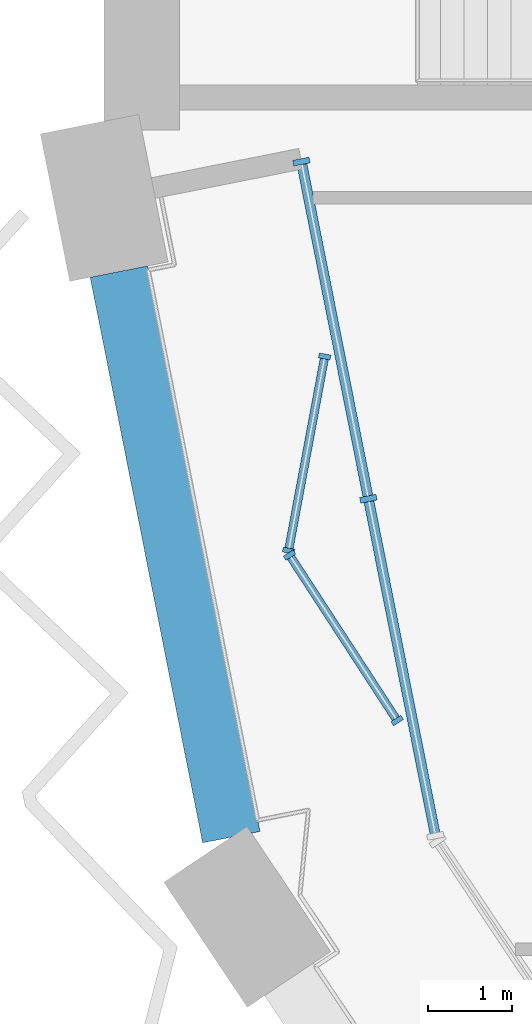
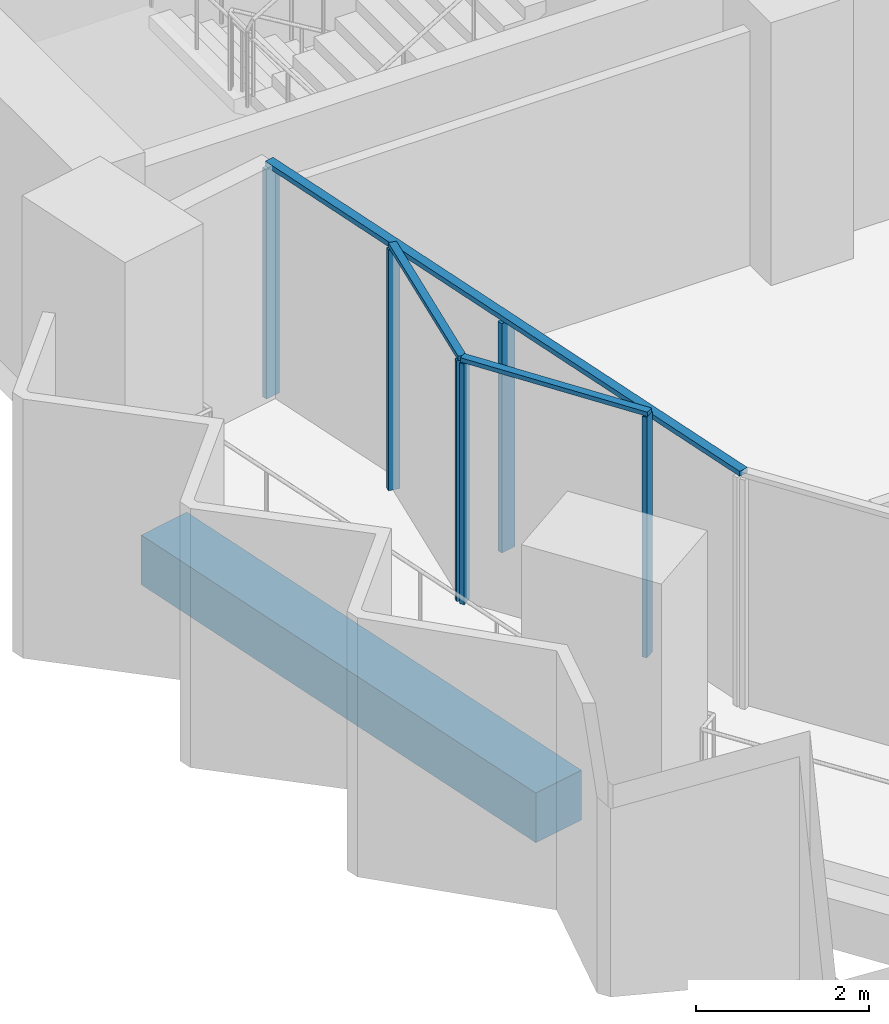
# One storey, part 3 of 19: 9 members, 1 beam, 3 elements without a shape of their own.
"""IFC4 building model written with IfcOpenShell, lengths in metres."""

from ifc_helpers import new_model, si_unit, direction, frame, origin, origin_2d, place, context, subcontext, project, spatial, rectangle, extrude, material, material_profile, profile_set, type_object, element, aggregate, save


model = new_model("IFC4")

# Units and contexts
model_context = context("Model", 3, precision=1e-05, world=origin(), true_north=direction((0.0, 1.0)))
body_context = subcontext(model_context, "Body", "Model", "MODEL_VIEW")
ifc_project = project(units=[si_unit("LENGTHUNIT", "METRE"), si_unit("AREAUNIT", "SQUARE_METRE"), si_unit("VOLUMEUNIT", "CUBIC_METRE"), si_unit("PLANEANGLEUNIT", "RADIAN"), si_unit("MASSUNIT", "GRAM", prefix="KILO")], contexts=[model_context])

# Site, building, storey
site_placement = place(None, origin())
site = spatial("IfcSite", under=ifc_project, at=site_placement, CompositionType="ELEMENT")
building_placement = place(site_placement, origin())
building = spatial("IfcBuilding", under=site, at=building_placement, Name="Hunhe Ridgeline Campus", CompositionType="ELEMENT")
storey_placement = place(building_placement, frame((0.0, 0.0, 216.10009765625)))
storey = spatial("IfcBuildingStorey", under=building, at=storey_placement, Name="L55", CompositionType="ELEMENT", Elevation=216.10009765625)

# Curtain wall, members
ifc_material_1 = material(Name="Aluminium 6063", Category="aluminium")
curtain_wall_type_1 = type_object("IfcCurtainWallType", Name="Curtain wall CW-2", PredefinedType="NOTDEFINED", material=ifc_material_1)
curtain_wall_1_placement = place(storey_placement, origin())
curtain_wall_1 = element("IfcCurtainWall", 1, at=curtain_wall_1_placement, inside=storey, type_object=curtain_wall_type_1, Name="Curtain wall B01a", PredefinedType="NOTDEFINED")
ifc_material_profile_1 = material_profile(ifc_material_1, rectangle(XDim=0.139892578125, YDim=0.06005859375, at=origin_2d()))
ifc_profile_set_1 = profile_set([ifc_material_profile_1], Name="Aluminium 6063")
member_type_1 = type_object("IfcMemberType", Name="CW-2 aluminium mullion", PredefinedType="MULLION", material=ifc_profile_set_1)
member_1_placement = place(storey_placement, frame((2.64111328125, 34.100341796875, 0.0), z_axis=(0.0, 0.0, 1.0), x_axis=(0.983091954213, -0.183112559813, 0.0)))
member_1 = element("IfcMember", 2, at=member_1_placement, type_object=member_type_1, Name="CW-2 mullion 1", PredefinedType="MULLION", context=body_context, shape_type="SweptSolid", body=[
    extrude(rectangle(XDim=0.139892578125, YDim=0.06005859375, at=origin_2d()), origin(), (0.0, 0.0, 1.0), 3.389892578125),
])
member_2_placement = place(storey_placement, frame((2.20849609375, 31.77685546875, 0.0), z_axis=(0.0, 0.0, 1.0), x_axis=(0.983091954213, -0.183112559813, 0.0)))
member_2 = element("IfcMember", 3, at=member_2_placement, type_object=member_type_1, Name="CW-2 mullion 2", PredefinedType="MULLION", context=body_context, shape_type="SweptSolid", body=[
    extrude(rectangle(XDim=0.139892578125, YDim=0.06005859375, at=origin_2d()), origin(), (0.0, 0.0, 1.0), 3.389892578125),
])

curtain_wall_2_placement = place(storey_placement, origin())
curtain_wall_2 = element("IfcCurtainWall", 4, at=curtain_wall_2_placement, inside=storey, type_object=curtain_wall_type_1, Name="Curtain wall B01b", PredefinedType="NOTDEFINED")
member_3_placement = place(storey_placement, frame((2.21923828125, 31.722412109375, 0.0), z_axis=(0.0, 0.0, 1.0), x_axis=(0.838178845176, 0.545395474403, 0.0)))
member_3 = element("IfcMember", 5, at=member_3_placement, type_object=member_type_1, Name="CW-2 mullion 1", PredefinedType="MULLION", context=body_context, shape_type="SweptSolid", body=[
    extrude(rectangle(XDim=0.139892578125, YDim=0.06005859375, at=origin_2d()), origin(), (0.0, 0.0, 1.0), 3.389892578125),
])
member_4_placement = place(storey_placement, frame((3.50830078125, 29.741455078125, 0.0), z_axis=(0.0, 0.0, 1.0), x_axis=(0.838178845176, 0.545395474403, 0.0)))
member_4 = element("IfcMember", 6, at=member_4_placement, type_object=member_type_1, Name="CW-2 mullion 2", PredefinedType="MULLION", context=body_context, shape_type="SweptSolid", body=[
    extrude(rectangle(XDim=0.139892578125, YDim=0.06005859375, at=origin_2d()), origin(), (0.0, 0.0, 1.0), 3.389892578125),
])

# Member
ifc_material_profile_2 = material_profile(ifc_material_1, rectangle(XDim=0.10009765625, YDim=0.06005859375, at=origin_2d()))
ifc_profile_set_2 = profile_set([ifc_material_profile_2], Name="Aluminium 6063")
member_type_2 = type_object("IfcMemberType", Name="CW-2 aluminium transom", PredefinedType="USERDEFINED", material=ifc_profile_set_2)
member_5_placement = place(storey_placement, frame((2.646728515625, 34.1298828125, 3.419921875), z_axis=(-0.183157011524, -0.983083673514, 0.0), x_axis=(0.983083673514, -0.183157011524, 0.0)))
member_5 = element("IfcMember", 7, at=member_5_placement, type_object=member_type_2, Name="CW-2 transom 1", ObjectType="TRANSOM", PredefinedType="USERDEFINED", context=body_context, shape_type="SweptSolid", body=[
    extrude(rectangle(XDim=0.10009765625, YDim=0.06005859375, at=origin_2d()), origin(), (0.0, 0.0, 1.0), 2.42333984375),
])

aggregate(curtain_wall_1, [member_5, member_1, member_2])

member_6_placement = place(storey_placement, frame((2.202880859375, 31.74755859375, 3.419921875), z_axis=(0.54541319982, -0.838167311139, 0.0), x_axis=(0.838167311139, 0.54541319982, 0.0)))
member_6 = element("IfcMember", 8, at=member_6_placement, type_object=member_type_2, Name="CW-2 transom 1", ObjectType="TRANSOM", PredefinedType="USERDEFINED", context=body_context, shape_type="SweptSolid", body=[
    extrude(rectangle(XDim=0.10009765625, YDim=0.06005859375, at=origin_2d()), origin(), (0.0, 0.0, 1.0), 2.42333984375),
])

aggregate(curtain_wall_2, [member_6, member_3, member_4])

# Curtain wall, members
curtain_wall_type_2 = type_object("IfcCurtainWallType", Name="Curtain wall CW-5", PredefinedType="NOTDEFINED", material=ifc_material_1)
curtain_wall_3_placement = place(storey_placement, origin())
curtain_wall_3 = element("IfcCurtainWall", 9, at=curtain_wall_3_placement, inside=storey, type_object=curtain_wall_type_2, Name="Curtain wall 01", PredefinedType="NOTDEFINED")
ifc_material_profile_3 = material_profile(ifc_material_1, rectangle(XDim=0.199951171875, YDim=0.070068359375, at=origin_2d()))
ifc_profile_set_3 = profile_set([ifc_material_profile_3], Name="Aluminium 6063")
member_type_3 = type_object("IfcMemberType", Name="CW-5 aluminium mullion", PredefinedType="MULLION", material=ifc_profile_set_3)
member_7_placement = place(storey_placement, frame((2.361572265625, 36.434326171875, 0.0), z_axis=(0.0, 0.0, 1.0), x_axis=(0.980784280831, 0.195095347137, 0.0)))
member_7 = element("IfcMember", 10, at=member_7_placement, type_object=member_type_3, Name="CW-5 mullion 1", PredefinedType="MULLION", context=body_context, shape_type="SweptSolid", body=[
    extrude(rectangle(XDim=0.199951171875, YDim=0.070068359375, at=origin_2d()), origin(), (0.0, 0.0, 1.0), 3.22998046875),
])
member_8_placement = place(storey_placement, frame((3.16455078125, 32.3974609375, 0.0), z_axis=(0.0, 0.0, 1.0), x_axis=(0.980784280831, 0.195095347137, 0.0)))
member_8 = element("IfcMember", 11, at=member_8_placement, type_object=member_type_3, Name="CW-5 mullion 2", PredefinedType="MULLION", context=body_context, shape_type="SweptSolid", body=[
    extrude(rectangle(XDim=0.199951171875, YDim=0.070068359375, at=origin_2d()), origin(), (0.0, 0.0, 1.0), 3.22998046875),
])
ifc_material_profile_4 = material_profile(ifc_material_1, rectangle(XDim=0.1201171875, YDim=0.070068359375, at=origin_2d()))
ifc_profile_set_4 = profile_set([ifc_material_profile_4], Name="Aluminium 6063")
member_type_4 = type_object("IfcMemberType", Name="CW-5 aluminium transom", PredefinedType="USERDEFINED", material=ifc_profile_set_4)
member_9_placement = place(storey_placement, frame((2.354736328125, 36.46875, 3.264892578125), z_axis=(0.195092405068, -0.980784866056, 0.0), x_axis=(0.980784866056, 0.195092405068, 0.0)))
member_9 = element("IfcMember", 12, at=member_9_placement, type_object=member_type_4, Name="CW-5 transom 1", ObjectType="TRANSOM", PredefinedType="USERDEFINED", context=body_context, shape_type="SweptSolid", body=[
    extrude(rectangle(XDim=0.1201171875, YDim=0.070068359375, at=origin_2d()), origin(), (0.0, 0.0, 1.0), 8.3017578125),
])
aggregate(curtain_wall_3, [member_9, member_7, member_8])

# Beam
ifc_material_2 = material(Name="Concrete C50", Category="concrete")
ifc_material_profile_5 = material_profile(ifc_material_2, rectangle(XDim=0.699951171875, YDim=0.699951171875, at=origin_2d()))
ifc_profile_set_5 = profile_set([ifc_material_profile_5], Name="Concrete C50")
beam_type = type_object("IfcBeamType", Name="RC spandrel beam 700x700 Concrete C50", PredefinedType="SPANDREL", material=ifc_profile_set_5)
beam_placement = place(storey_placement, frame((0.175537109375, 35.1171875, -0.60009765625), z_axis=(0.195102900975, -0.980782778209, 0.0), x_axis=(0.980782778209, 0.195102900975, 0.0)))
element("IfcBeam", 13, at=beam_placement, inside=storey, type_object=beam_type, Name="Spandrel beam B3-1 L55", PredefinedType="SPANDREL", context=body_context, shape_type="SweptSolid", body=[
    extrude(rectangle(XDim=0.699951171875, YDim=0.699951171875, at=origin_2d()), origin(), (0.0, 0.0, 1.0), 6.905029296875),
])

save(model, "model.ifc")
